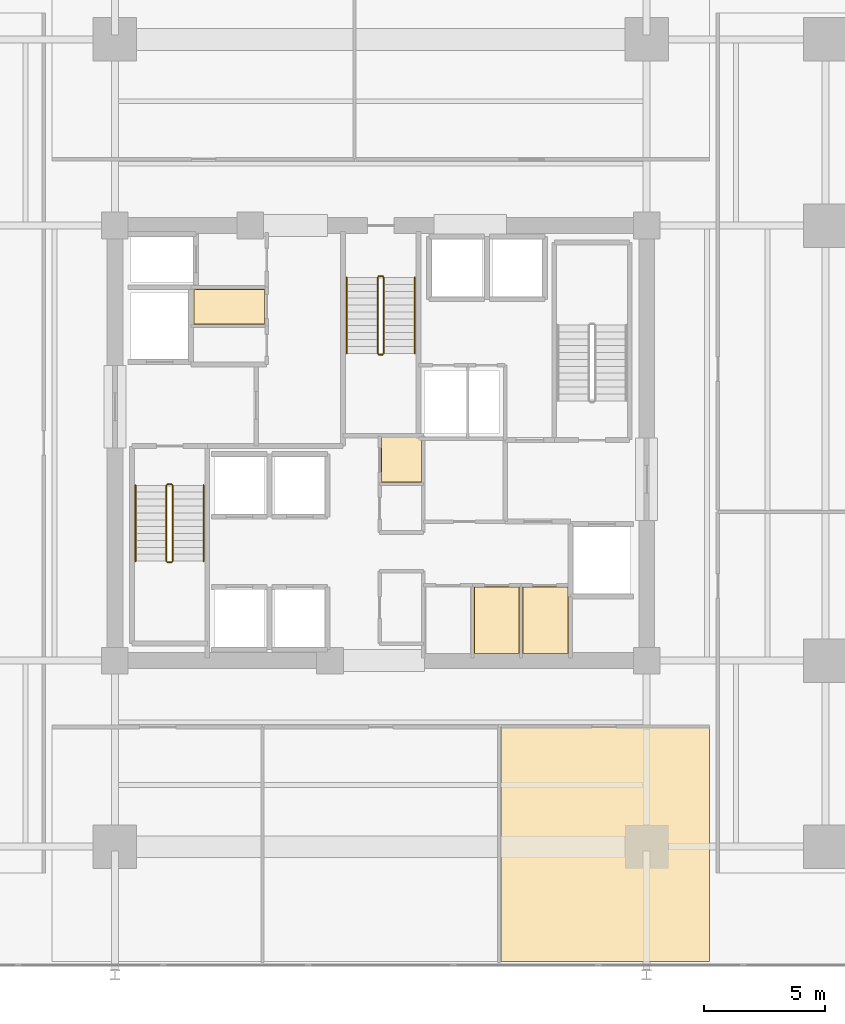
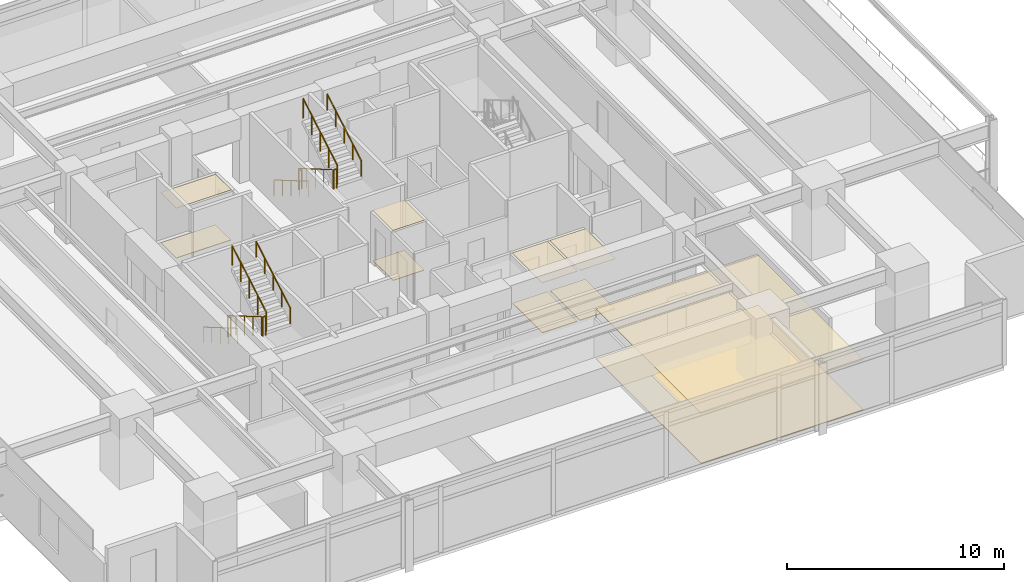
# One storey, part 19 of 21: 12 railings, 10 coverings.
"""IFC4 building model written with IfcOpenShell, lengths in metres."""

from ifc_helpers import new_model, si_unit, direction, frame, origin, origin_2d, place, context, subcontext, project, spatial, polyline, circle, outline, extrude, material, layer, layer_set, type_object, element, save


model = new_model("IFC4")

# Units and contexts
model_context = context("Model", 3, precision=1e-05, world=origin(), true_north=direction((0.0, 1.0)))
body_context = subcontext(model_context, "Body", "Model", "MODEL_VIEW")
ifc_project = project(units=[si_unit("LENGTHUNIT", "METRE"), si_unit("AREAUNIT", "SQUARE_METRE"), si_unit("VOLUMEUNIT", "CUBIC_METRE"), si_unit("PLANEANGLEUNIT", "RADIAN"), si_unit("MASSUNIT", "GRAM", prefix="KILO")], contexts=[model_context])

# Site, building, storey
site_placement = place(None, origin())
site = spatial("IfcSite", under=ifc_project, at=site_placement, CompositionType="ELEMENT")
building_placement = place(site_placement, origin())
building = spatial("IfcBuilding", under=site, at=building_placement, Name="Kovane Verandah Tower", CompositionType="ELEMENT")
storey_placement = place(building_placement, frame((0.0, 0.0, 27.60009765625)))
storey = spatial("IfcBuildingStorey", under=building, at=storey_placement, Name="L05", CompositionType="ELEMENT", Elevation=27.60009765625)

# Coverings
ifc_material_1 = material(Name="Perforated Acoustic Mineral-Fibre Ceiling Tile", Category="gypsum")
ifc_layer_1 = layer(ifc_material_1, 0.02490234375)
ifc_layer_set_1 = layer_set([ifc_layer_1], Name="Perforated Acoustic Mineral-Fibre Ceiling Tile")
covering_type_1 = type_object("IfcCoveringType", Name="CV-CEIL-25", PredefinedType="CEILING", material=ifc_layer_set_1)
covering_1_placement = place(storey_placement, frame((0.0, 0.0, 2.824951171875)))
element("IfcCovering", 1, at=covering_1_placement, inside=storey, type_object=covering_type_1, Name="L05 First Aid Room Acoustic Ceiling", PredefinedType="CEILING", context=body_context, shape_type="SweptSolid", body=[
    extrude(outline(polyline([(43.864990234375, 18.784912109375), (45.735107421875, 18.784912109375), (45.735107421875, 21.56494140625), (43.864990234375, 21.56494140625), (43.864990234375, 18.784912109375)])), origin(), (0.0, 0.0, 1.0), 0.02490234375),
])
covering_2_placement = place(storey_placement, frame((0.0, 0.0, 2.824951171875)))
element("IfcCovering", 2, at=covering_2_placement, inside=storey, type_object=covering_type_1, Name="L05 Quiet Wellness Room Acoustic Ceiling", PredefinedType="CEILING", context=body_context, shape_type="SweptSolid", body=[
    extrude(outline(polyline([(45.864990234375, 18.784912109375), (47.764892578125, 18.784912109375), (47.764892578125, 21.56494140625), (45.864990234375, 21.56494140625), (45.864990234375, 18.784912109375)])), origin(), (0.0, 0.0, 1.0), 0.02490234375),
])
covering_3_placement = place(storey_placement, frame((0.0, 0.0, 2.824951171875)))
element("IfcCovering", 3, at=covering_3_placement, inside=storey, type_object=covering_type_1, Name="L05 North-West First Aid Room Acoustic Ceiling", PredefinedType="CEILING", context=body_context, shape_type="SweptSolid", body=[
    extrude(outline(polyline([(32.264892578125, 32.4150390625), (35.195068359375, 32.4150390625), (35.195068359375, 33.864990234375), (32.264892578125, 33.864990234375), (32.264892578125, 32.4150390625)])), origin(), (0.0, 0.0, 1.0), 0.02490234375),
])
covering_4_placement = place(storey_placement, frame((0.0, 0.0, 2.824951171875)))
element("IfcCovering", 4, at=covering_4_placement, inside=storey, type_object=covering_type_1, Name="L05 Central First Aid and Wellness Room Acoustic Ceiling", PredefinedType="CEILING", context=body_context, shape_type="SweptSolid", body=[
    extrude(outline(polyline([(40.0048828125, 25.864990234375), (41.695068359375, 25.864990234375), (41.695068359375, 27.735107421875), (40.0048828125, 27.735107421875), (40.0048828125, 25.864990234375)])), origin(), (0.0, 0.0, 1.0), 0.02490234375),
])
covering_5_placement = place(storey_placement, frame((0.0, 0.0, 2.824951171875)))
element("IfcCovering", 5, at=covering_5_placement, inside=storey, type_object=covering_type_1, Name="L05 Focus Studio S3 Acoustic Ceiling", PredefinedType="CEILING", context=body_context, shape_type="SweptSolid", body=[
    extrude(outline(polyline([(44.966064453125, 6.050048828125), (53.60009765625, 6.050048828125), (53.60009765625, 15.75), (44.966064453125, 15.75), (44.966064453125, 6.050048828125)])), origin(), (0.0, 0.0, 1.0), 0.02490234375),
])
ifc_material_2 = material(Name="Polished Terrazzo and Raised-Access Carpet Tile Finish", Category="concrete")
ifc_layer_2 = layer(ifc_material_2, 0.030029296875)
ifc_layer_set_2 = layer_set([ifc_layer_2], Name="Polished Terrazzo and Raised-Access Carpet Tile Finish")
covering_type_2 = type_object("IfcCoveringType", Name="CV-FLOR-30", PredefinedType="FLOORING", material=ifc_layer_set_2)
covering_6_placement = place(storey_placement, origin())
element("IfcCovering", 6, at=covering_6_placement, inside=storey, type_object=covering_type_2, Name="L05 First Aid Room Floor Finish", PredefinedType="FLOORING", context=body_context, shape_type="SweptSolid", body=[
    extrude(outline(polyline([(43.8798828125, 18.800048828125), (45.719970703125, 18.800048828125), (45.719970703125, 21.550048828125), (43.8798828125, 21.550048828125), (43.8798828125, 18.800048828125)])), origin(), (0.0, 0.0, 1.0), 0.02978515625),
])
covering_7_placement = place(storey_placement, origin())
element("IfcCovering", 7, at=covering_7_placement, inside=storey, type_object=covering_type_2, Name="L05 Quiet Wellness Room Floor Finish", PredefinedType="FLOORING", context=body_context, shape_type="SweptSolid", body=[
    extrude(outline(polyline([(45.8798828125, 18.800048828125), (47.75, 18.800048828125), (47.75, 21.550048828125), (45.8798828125, 21.550048828125), (45.8798828125, 18.800048828125)])), origin(), (0.0, 0.0, 1.0), 0.02978515625),
])
covering_8_placement = place(storey_placement, origin())
element("IfcCovering", 8, at=covering_8_placement, inside=storey, type_object=covering_type_2, Name="L05 North-West First Aid Room Floor Finish", PredefinedType="FLOORING", context=body_context, shape_type="SweptSolid", body=[
    extrude(outline(polyline([(32.280029296875, 32.429931640625), (35.179931640625, 32.429931640625), (35.179931640625, 33.85009765625), (32.280029296875, 33.85009765625), (32.280029296875, 32.429931640625)])), origin(), (0.0, 0.0, 1.0), 0.02978515625),
])
covering_9_placement = place(storey_placement, origin())
element("IfcCovering", 9, at=covering_9_placement, inside=storey, type_object=covering_type_2, Name="L05 Central First Aid and Wellness Room Floor Finish", PredefinedType="FLOORING", context=body_context, shape_type="SweptSolid", body=[
    extrude(outline(polyline([(40.02001953125, 25.8798828125), (41.679931640625, 25.8798828125), (41.679931640625, 27.719970703125), (40.02001953125, 27.719970703125), (40.02001953125, 25.8798828125)])), origin(), (0.0, 0.0, 1.0), 0.02978515625),
])
covering_10_placement = place(storey_placement, origin())
element("IfcCovering", 10, at=covering_10_placement, inside=storey, type_object=covering_type_2, Name="L05 Focus Studio S3 Floor Finish", PredefinedType="FLOORING", context=body_context, shape_type="SweptSolid", body=[
    extrude(outline(polyline([(44.966064453125, 6.050048828125), (53.60009765625, 6.050048828125), (53.60009765625, 15.75), (44.966064453125, 15.75), (44.966064453125, 6.050048828125)])), origin(), (0.0, 0.0, 1.0), 0.02978515625),
])

# Railings
ifc_material_3 = material(Name="Brushed Stainless Steel Handrail", Category="steel")
railing_type_1 = type_object("IfcRailingType", Name="RL-HAND-920", PredefinedType="HANDRAIL", material=ifc_material_3)
railing_1_placement = place(storey_placement, frame((29.85009765625, 25.75, 0.16650390625)))
element("IfcRailing", 11, at=railing_1_placement, inside=storey, type_object=railing_type_1, Name="L05 ST-01 stair handrail 1", PredefinedType="HANDRAIL", context=body_context, shape_type="SweptSolid", body=[
    extrude(circle(Radius=0.02392578125, at=origin_2d()), frame((0.0, 0.0, 0.8759765625), z_axis=(0.0, -0.863210265497, 0.504844567704), x_axis=(1.0, 0.0, 0.0)), (0.0, 0.0, 1.0), 3.6318359375),
    extrude(circle(Radius=0.02099609375, at=origin_2d()), origin(), (0.0, 0.0, 1.0), 0.851806640625),
    extrude(circle(Radius=0.02099609375, at=origin_2d()), frame((0.0, -0.78369140625, 0.45849609375)), (0.0, 0.0, 1.0), 0.851806640625),
    extrude(circle(Radius=0.02099609375, at=origin_2d()), frame((0.0, -1.5673828125, 0.916748046875)), (0.0, 0.0, 1.0), 0.851806640625),
    extrude(circle(Radius=0.02099609375, at=origin_2d()), frame((0.0, -2.351318359375, 1.375)), (0.0, 0.0, 1.0), 0.851806640625),
    extrude(circle(Radius=0.02099609375, at=origin_2d()), frame((0.0, -3.135009765625, 1.83349609375)), (0.0, 0.0, 1.0), 0.851806640625),
])
railing_2_placement = place(storey_placement, frame((32.669921875, 22.614990234375, 2.16650390625)))
element("IfcRailing", 12, at=railing_2_placement, inside=storey, type_object=railing_type_1, Name="L05 ST-01 stair handrail 2", PredefinedType="HANDRAIL", context=body_context, shape_type="SweptSolid", body=[
    extrude(circle(Radius=0.02392578125, at=origin_2d()), frame((0.0, 0.0, 0.8759765625), z_axis=(0.0, 0.863210265497, 0.504844567704), x_axis=(-1.0, 0.0, 0.0)), (0.0, 0.0, 1.0), 3.6318359375),
    extrude(circle(Radius=0.02099609375, at=origin_2d()), origin(), (0.0, 0.0, 1.0), 0.851806640625),
    extrude(circle(Radius=0.02099609375, at=origin_2d()), frame((0.0, 0.78369140625, 0.45849609375)), (0.0, 0.0, 1.0), 0.851806640625),
    extrude(circle(Radius=0.02099609375, at=origin_2d()), frame((0.0, 1.5673828125, 0.916748046875)), (0.0, 0.0, 1.0), 0.851806640625),
    extrude(circle(Radius=0.02099609375, at=origin_2d()), frame((0.0, 2.351318359375, 1.375)), (0.0, 0.0, 1.0), 0.851806640625),
    extrude(circle(Radius=0.02099609375, at=origin_2d()), frame((0.0, 3.135009765625, 1.83349609375)), (0.0, 0.0, 1.0), 0.851806640625),
])
railing_3_placement = place(storey_placement, frame((38.590087890625, 34.35009765625, 0.16650390625)))
element("IfcRailing", 13, at=railing_3_placement, inside=storey, type_object=railing_type_1, Name="L05 ST-03 stair handrail 1", PredefinedType="HANDRAIL", context=body_context, shape_type="SweptSolid", body=[
    extrude(circle(Radius=0.02392578125, at=origin_2d()), frame((0.0, 0.0, 0.8759765625), z_axis=(0.0, -0.863210265497, 0.504844567704), x_axis=(1.0, 0.0, 0.0)), (0.0, 0.0, 1.0), 3.6318359375),
    extrude(circle(Radius=0.02099609375, at=origin_2d()), origin(), (0.0, 0.0, 1.0), 0.851806640625),
    extrude(circle(Radius=0.02099609375, at=origin_2d()), frame((0.0, -0.78369140625, 0.45849609375)), (0.0, 0.0, 1.0), 0.851806640625),
    extrude(circle(Radius=0.02099609375, at=origin_2d()), frame((0.0, -1.5673828125, 0.916748046875)), (0.0, 0.0, 1.0), 0.851806640625),
    extrude(circle(Radius=0.02099609375, at=origin_2d()), frame((0.0, -2.351318359375, 1.375)), (0.0, 0.0, 1.0), 0.851806640625),
    extrude(circle(Radius=0.02099609375, at=origin_2d()), frame((0.0, -3.135009765625, 1.83349609375)), (0.0, 0.0, 1.0), 0.851806640625),
])
railing_4_placement = place(storey_placement, frame((41.409912109375, 31.215087890625, 2.16650390625)))
element("IfcRailing", 14, at=railing_4_placement, inside=storey, type_object=railing_type_1, Name="L05 ST-03 stair handrail 2", PredefinedType="HANDRAIL", context=body_context, shape_type="SweptSolid", body=[
    extrude(circle(Radius=0.02392578125, at=origin_2d()), frame((0.0, 0.0, 0.8759765625), z_axis=(0.0, 0.863210265497, 0.504844567704), x_axis=(-1.0, 0.0, 0.0)), (0.0, 0.0, 1.0), 3.6318359375),
    extrude(circle(Radius=0.02099609375, at=origin_2d()), origin(), (0.0, 0.0, 1.0), 0.851806640625),
    extrude(circle(Radius=0.02099609375, at=origin_2d()), frame((0.0, 0.78369140625, 0.45849609375)), (0.0, 0.0, 1.0), 0.851806640625),
    extrude(circle(Radius=0.02099609375, at=origin_2d()), frame((0.0, 1.5673828125, 0.916748046875)), (0.0, 0.0, 1.0), 0.851806640625),
    extrude(circle(Radius=0.02099609375, at=origin_2d()), frame((0.0, 2.351318359375, 1.375)), (0.0, 0.0, 1.0), 0.851806640625),
    extrude(circle(Radius=0.02099609375, at=origin_2d()), frame((0.0, 3.135009765625, 1.83349609375)), (0.0, 0.0, 1.0), 0.851806640625),
])
ifc_material_4 = material(Name="Painted Steel Stairwell Guardrail", Category="steel")
railing_type_2 = type_object("IfcRailingType", Name="RL-STGUARD-1120", PredefinedType="GUARDRAIL", material=ifc_material_4)
railing_5_placement = place(storey_placement, frame((31.1298828125, 25.75, 0.16650390625)))
element("IfcRailing", 15, at=railing_5_placement, inside=storey, type_object=railing_type_2, Name="L05 ST-01 stair guard 1", PredefinedType="GUARDRAIL", context=body_context, shape_type="SweptSolid", body=[
    extrude(circle(Radius=0.02392578125, at=origin_2d()), frame((0.0, 0.0, 1.076171875), z_axis=(0.0, -0.863210265497, 0.504844567704), x_axis=(1.0, 0.0, 0.0)), (0.0, 0.0, 1.0), 3.6318359375),
    extrude(circle(Radius=0.02099609375, at=origin_2d()), origin(), (0.0, 0.0, 1.0), 1.052001953125),
    extrude(circle(Radius=0.02099609375, at=origin_2d()), frame((0.0, -0.78369140625, 0.45849609375)), (0.0, 0.0, 1.0), 1.052001953125),
    extrude(circle(Radius=0.02099609375, at=origin_2d()), frame((0.0, -1.5673828125, 0.916748046875)), (0.0, 0.0, 1.0), 1.052001953125),
    extrude(circle(Radius=0.02099609375, at=origin_2d()), frame((0.0, -2.351318359375, 1.375)), (0.0, 0.0, 1.0), 1.052001953125),
    extrude(circle(Radius=0.02099609375, at=origin_2d()), frame((0.0, -3.135009765625, 1.83349609375)), (0.0, 0.0, 1.0), 1.052001953125),
])
railing_6_placement = place(storey_placement, frame((31.179931640625, 22.56494140625, 2.0)))
element("IfcRailing", 16, at=railing_6_placement, inside=storey, type_object=railing_type_2, Name="L05 ST-01 stair guard 2", PredefinedType="GUARDRAIL", context=body_context, shape_type="SweptSolid", body=[
    extrude(circle(Radius=0.02392578125, at=origin_2d()), frame((0.0, 0.0, 1.076171875), z_axis=(1.0, 0.0, 0.0), x_axis=(0.0, 1.0, 0.0)), (0.0, 0.0, 1.0), 0.16015625),
    extrude(circle(Radius=0.02099609375, at=origin_2d()), origin(), (0.0, 0.0, 1.0), 1.052001953125),
    extrude(circle(Radius=0.02099609375, at=origin_2d()), frame((0.16015625, 0.0, 0.0)), (0.0, 0.0, 1.0), 1.052001953125),
])
railing_7_placement = place(storey_placement, frame((31.389892578125, 22.614990234375, 2.16650390625)))
element("IfcRailing", 17, at=railing_7_placement, inside=storey, type_object=railing_type_2, Name="L05 ST-01 stair guard 3", PredefinedType="GUARDRAIL", context=body_context, shape_type="SweptSolid", body=[
    extrude(circle(Radius=0.02392578125, at=origin_2d()), frame((0.0, 0.0, 1.076171875), z_axis=(0.0, 0.863210265497, 0.504844567704), x_axis=(-1.0, 0.0, 0.0)), (0.0, 0.0, 1.0), 3.6318359375),
    extrude(circle(Radius=0.02099609375, at=origin_2d()), origin(), (0.0, 0.0, 1.0), 1.052001953125),
    extrude(circle(Radius=0.02099609375, at=origin_2d()), frame((0.0, 0.78369140625, 0.45849609375)), (0.0, 0.0, 1.0), 1.052001953125),
    extrude(circle(Radius=0.02099609375, at=origin_2d()), frame((0.0, 1.5673828125, 0.916748046875)), (0.0, 0.0, 1.0), 1.052001953125),
    extrude(circle(Radius=0.02099609375, at=origin_2d()), frame((0.0, 2.351318359375, 1.375)), (0.0, 0.0, 1.0), 1.052001953125),
    extrude(circle(Radius=0.02099609375, at=origin_2d()), frame((0.0, 3.135009765625, 1.83349609375)), (0.0, 0.0, 1.0), 1.052001953125),
])
railing_8_placement = place(storey_placement, frame((31.179931640625, 25.800048828125, 0.0)))
element("IfcRailing", 18, at=railing_8_placement, inside=storey, type_object=railing_type_2, Name="L05 ST-01 stair guard 4", PredefinedType="GUARDRAIL", context=body_context, shape_type="SweptSolid", body=[
    extrude(circle(Radius=0.02392578125, at=origin_2d()), frame((0.0, 0.0, 1.076171875), z_axis=(1.0, 0.0, 0.0), x_axis=(0.0, 1.0, 0.0)), (0.0, 0.0, 1.0), 0.16015625),
    extrude(circle(Radius=0.02099609375, at=origin_2d()), origin(), (0.0, 0.0, 1.0), 1.052001953125),
    extrude(circle(Radius=0.02099609375, at=origin_2d()), frame((0.16015625, 0.0, 0.0)), (0.0, 0.0, 1.0), 1.052001953125),
])
railing_9_placement = place(storey_placement, frame((39.8701171875, 34.35009765625, 0.16650390625)))
element("IfcRailing", 19, at=railing_9_placement, inside=storey, type_object=railing_type_2, Name="L05 ST-03 stair guard 1", PredefinedType="GUARDRAIL", context=body_context, shape_type="SweptSolid", body=[
    extrude(circle(Radius=0.02392578125, at=origin_2d()), frame((0.0, 0.0, 1.076171875), z_axis=(0.0, -0.863210265497, 0.504844567704), x_axis=(1.0, 0.0, 0.0)), (0.0, 0.0, 1.0), 3.6318359375),
    extrude(circle(Radius=0.02099609375, at=origin_2d()), origin(), (0.0, 0.0, 1.0), 1.052001953125),
    extrude(circle(Radius=0.02099609375, at=origin_2d()), frame((0.0, -0.78369140625, 0.45849609375)), (0.0, 0.0, 1.0), 1.052001953125),
    extrude(circle(Radius=0.02099609375, at=origin_2d()), frame((0.0, -1.5673828125, 0.916748046875)), (0.0, 0.0, 1.0), 1.052001953125),
    extrude(circle(Radius=0.02099609375, at=origin_2d()), frame((0.0, -2.351318359375, 1.375)), (0.0, 0.0, 1.0), 1.052001953125),
    extrude(circle(Radius=0.02099609375, at=origin_2d()), frame((0.0, -3.135009765625, 1.83349609375)), (0.0, 0.0, 1.0), 1.052001953125),
])
railing_10_placement = place(storey_placement, frame((39.919921875, 31.1650390625, 2.0)))
element("IfcRailing", 20, at=railing_10_placement, inside=storey, type_object=railing_type_2, Name="L05 ST-03 stair guard 2", PredefinedType="GUARDRAIL", context=body_context, shape_type="SweptSolid", body=[
    extrude(circle(Radius=0.02392578125, at=origin_2d()), frame((0.0, 0.0, 1.076171875), z_axis=(1.0, 0.0, 0.0), x_axis=(0.0, 1.0, 0.0)), (0.0, 0.0, 1.0), 0.16015625),
    extrude(circle(Radius=0.02099609375, at=origin_2d()), origin(), (0.0, 0.0, 1.0), 1.052001953125),
    extrude(circle(Radius=0.02099609375, at=origin_2d()), frame((0.16015625, 0.0, 0.0)), (0.0, 0.0, 1.0), 1.052001953125),
])
railing_11_placement = place(storey_placement, frame((40.1298828125, 31.215087890625, 2.16650390625)))
element("IfcRailing", 21, at=railing_11_placement, inside=storey, type_object=railing_type_2, Name="L05 ST-03 stair guard 3", PredefinedType="GUARDRAIL", context=body_context, shape_type="SweptSolid", body=[
    extrude(circle(Radius=0.02392578125, at=origin_2d()), frame((0.0, 0.0, 1.076171875), z_axis=(0.0, 0.863210265497, 0.504844567704), x_axis=(-1.0, 0.0, 0.0)), (0.0, 0.0, 1.0), 3.6318359375),
    extrude(circle(Radius=0.02099609375, at=origin_2d()), origin(), (0.0, 0.0, 1.0), 1.052001953125),
    extrude(circle(Radius=0.02099609375, at=origin_2d()), frame((0.0, 0.78369140625, 0.45849609375)), (0.0, 0.0, 1.0), 1.052001953125),
    extrude(circle(Radius=0.02099609375, at=origin_2d()), frame((0.0, 1.5673828125, 0.916748046875)), (0.0, 0.0, 1.0), 1.052001953125),
    extrude(circle(Radius=0.02099609375, at=origin_2d()), frame((0.0, 2.351318359375, 1.375)), (0.0, 0.0, 1.0), 1.052001953125),
    extrude(circle(Radius=0.02099609375, at=origin_2d()), frame((0.0, 3.135009765625, 1.83349609375)), (0.0, 0.0, 1.0), 1.052001953125),
])
railing_12_placement = place(storey_placement, frame((39.919921875, 34.39990234375, 0.0)))
element("IfcRailing", 22, at=railing_12_placement, inside=storey, type_object=railing_type_2, Name="L05 ST-03 stair guard 4", PredefinedType="GUARDRAIL", context=body_context, shape_type="SweptSolid", body=[
    extrude(circle(Radius=0.02392578125, at=origin_2d()), frame((0.0, 0.0, 1.076171875), z_axis=(1.0, 0.0, 0.0), x_axis=(0.0, 1.0, 0.0)), (0.0, 0.0, 1.0), 0.16015625),
    extrude(circle(Radius=0.02099609375, at=origin_2d()), origin(), (0.0, 0.0, 1.0), 1.052001953125),
    extrude(circle(Radius=0.02099609375, at=origin_2d()), frame((0.16015625, 0.0, 0.0)), (0.0, 0.0, 1.0), 1.052001953125),
])

save(model, "model.ifc")
